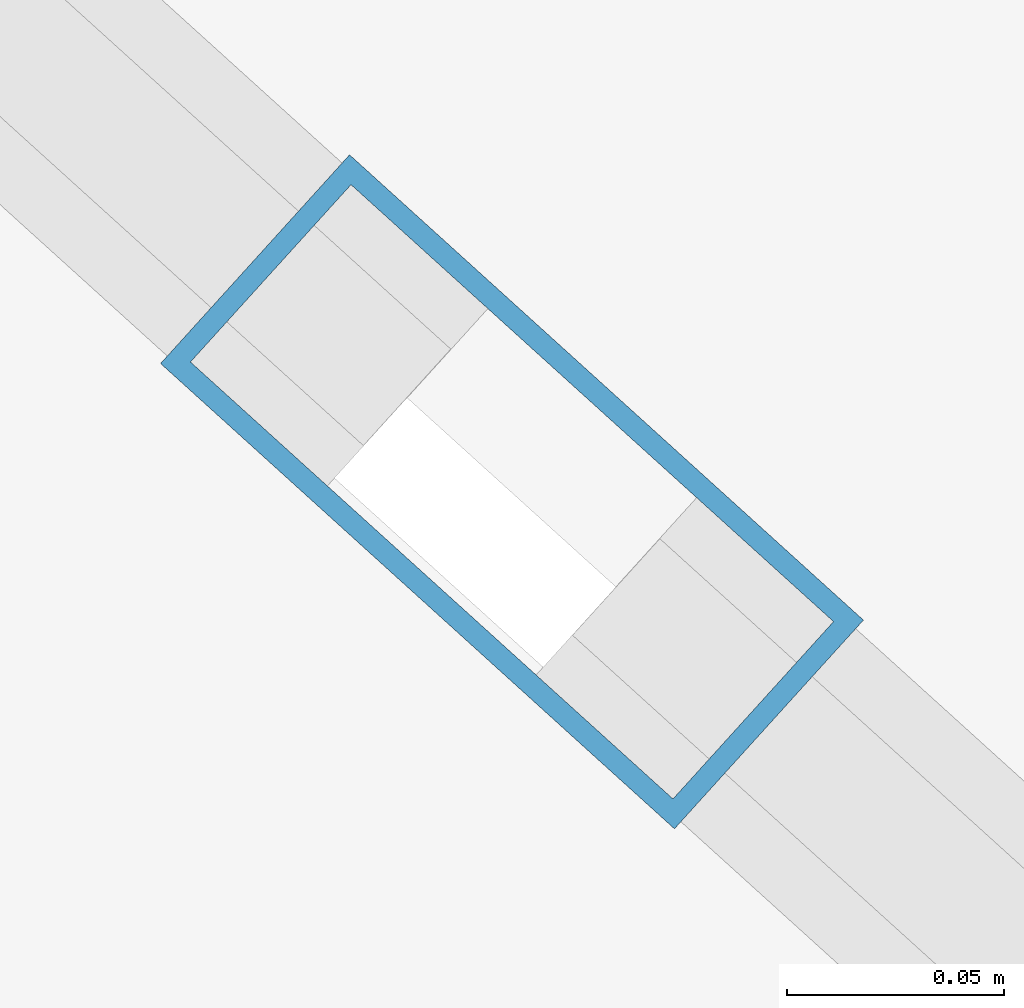
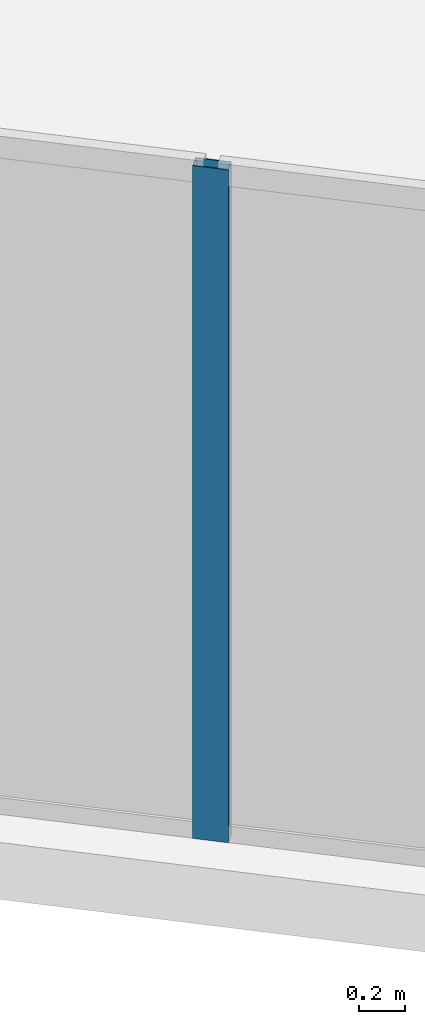
# One storey, part 2 of 14: 1 member, 1 element without a shape of its own.
"""IFC4 building model written with IfcOpenShell, lengths in metres."""

import ifcopenshell
import ifcopenshell.guid

model = None  # the IFC model being written
_history = None  # IfcOwnerHistory: only IFC2X3 demands one
_inside = {}  # id of a spatial element -> (the spatial element, [elements in it])
_under = {}  # id of a project, library or spatial element -> (it, [spatial elements below it])
_declared = {}  # id of a project -> (the project, [libraries it declares])
_typed = {}  # id of a type object -> (the type object, [elements of that type])
_made_of = {}  # id of a material, layer set ... -> (it, [elements and type objects made of it])


def new_model(schema):
    """Start an empty IFC model of exactly this schema.

    Asked for "IFC4X3", IfcOpenShell would pick the latest addendum, in which some entities
    have other attributes; the version numbers below select the first issue.
    IFC2X3 requires an IfcOwnerHistory on every rooted entity: one is made here for all.
    """
    global model, _history
    if schema == "IFC4X3":
        model = ifcopenshell.file(schema_version=(4, 3, 0, 0))
    else:
        model = ifcopenshell.file(schema=schema)
    _inside.clear()
    _under.clear()
    _declared.clear()
    _typed.clear()
    _made_of.clear()
    _history = None
    if model.schema == "IFC2X3":
        org = make("IfcOrganization", Name="unknown")
        user = make(
            "IfcPersonAndOrganization",
            ThePerson=make("IfcPerson", FamilyName="unknown"),
            TheOrganization=org,
        )
        app = make(
            "IfcApplication",
            ApplicationDeveloper=org,
            Version="unknown",
            ApplicationFullName="unknown",
            ApplicationIdentifier="unknown",
        )
        _history = make(
            "IfcOwnerHistory",
            OwningUser=user,
            OwningApplication=app,
            ChangeAction="ADDED",
            CreationDate=0,
        )
    return model


def make(cls, **values):
    """One entity of the class cls with the attributes given. An attribute that is None is left unset."""
    return model.create_entity(
        cls, **{name: value for name, value in values.items() if value is not None}
    )


def rooted(cls, **values):
    """An entity with a GlobalId (a new one), such as an element, a storey or a relation."""
    return make(cls, GlobalId=ifcopenshell.guid.new(), OwnerHistory=_history, **values)


def si_unit(unit_type, name, prefix=None):
    """IfcSIUnit, for example si_unit("LENGTHUNIT", "METRE", prefix="MILLI")."""
    return make("IfcSIUnit", UnitType=unit_type, Prefix=prefix, Name=name)


def assignment(units):
    """IfcUnitAssignment: the units of a project."""
    return None if units is None else make("IfcUnitAssignment", Units=units)


def point(xyz):
    """IfcCartesianPoint."""
    return None if xyz is None else make("IfcCartesianPoint", Coordinates=xyz)


def direction(xyz):
    """IfcDirection."""
    return None if xyz is None else make("IfcDirection", DirectionRatios=xyz)


def frame(location, z_axis=None, x_axis=None):
    """IfcAxis2Placement3D, a coordinate frame: its origin and axes. An axis left out is left unset."""
    return make(
        "IfcAxis2Placement3D",
        Location=point(location),
        Axis=direction(z_axis),
        RefDirection=direction(x_axis),
    )


def frame_2d(location, x_axis=None):
    """IfcAxis2Placement2D, a coordinate frame in the plane: its origin and x axis."""
    return make(
        "IfcAxis2Placement2D", Location=point(location), RefDirection=direction(x_axis)
    )


def origin():
    """The frame at (0, 0, 0) with its axes left unset."""
    return frame((0.0, 0.0, 0.0))


def origin_2d():
    """The frame at (0, 0) in the plane with its x axis left unset."""
    return frame_2d((0.0, 0.0))


def place(relative_to, where):
    """IfcLocalPlacement: puts the frame where relative to a parent placement (None: the world)."""
    return make(
        "IfcLocalPlacement", PlacementRelTo=relative_to, RelativePlacement=where
    )


def context(
    kind, dimensions, precision=None, world=None, true_north=None, identifier=None
):
    """IfcGeometricRepresentationContext, for example the 3D "Model" context."""
    return make(
        "IfcGeometricRepresentationContext",
        ContextIdentifier=identifier,
        ContextType=kind,
        CoordinateSpaceDimension=dimensions,
        Precision=precision,
        WorldCoordinateSystem=world,
        TrueNorth=true_north,
    )


def subcontext(parent, identifier, kind, view, scale=None):
    """IfcGeometricRepresentationSubContext, for example "Body" below "Model"."""
    return make(
        "IfcGeometricRepresentationSubContext",
        ContextIdentifier=identifier,
        ContextType=kind,
        ParentContext=parent,
        TargetScale=scale,
        TargetView=view,
    )


def project(units=None, contexts=None):
    """IfcProject with its units and contexts."""
    return rooted(
        "IfcProject",
        Name="project",
        RepresentationContexts=contexts,
        UnitsInContext=assignment(units),
    )


def spatial(cls, under=None, at=None, **own):
    """A site, building, storey or space (cls), placed at a placement, below another one or the project."""
    s = rooted(cls, ObjectPlacement=at, **own)
    if under is not None:
        _under.setdefault(under.id(), (under, []))[1].append(s)
    return s


def profile(cls, at=None, kind="AREA", **sizes):
    """A parametric profile (cls). Its sizes go by their IFC names, for example OverallWidth=200.0."""
    return make(cls, ProfileType=kind, Position=at, **sizes)


def hollow_rectangle(**sizes):
    """IfcRectangleHollowProfileDef."""
    return profile("IfcRectangleHollowProfileDef", **sizes)


def extrude(swept, where, along, depth):
    """IfcExtrudedAreaSolid: the profile swept, set in the frame where, extruded along a direction by depth."""
    return make(
        "IfcExtrudedAreaSolid",
        SweptArea=swept,
        Position=where,
        ExtrudedDirection=direction(along),
        Depth=depth,
    )


def shape(context_of_items, identifier, shape_type, items):
    """IfcShapeRepresentation: the items that make up one representation, for example the "Body"."""
    return make(
        "IfcShapeRepresentation",
        ContextOfItems=context_of_items,
        RepresentationIdentifier=identifier,
        RepresentationType=shape_type,
        Items=items,
    )


def material(Name=None, Category=None):
    """IfcMaterial."""
    return make("IfcMaterial", Name=Name, Category=Category)


def layer(
    of_material, thickness, ventilated=None, Name=None, Category=None, Priority=None
):
    """IfcMaterialLayer: one layer of a wall or slab, of a material (None: an air gap)."""
    return make(
        "IfcMaterialLayer",
        Material=of_material,
        LayerThickness=thickness,
        IsVentilated=ventilated,
        Name=Name,
        Category=Category,
        Priority=Priority,
    )


def layer_set(layers, Name=None):
    """IfcMaterialLayerSet."""
    return make("IfcMaterialLayerSet", MaterialLayers=layers, LayerSetName=Name)


def material_profile(
    of_material, cross_section, Name=None, Category=None, Priority=None
):
    """IfcMaterialProfile: a cross section and its material."""
    return make(
        "IfcMaterialProfile",
        Name=Name,
        Material=of_material,
        Profile=cross_section,
        Priority=Priority,
        Category=Category,
    )


def profile_set(profiles, Name=None, composite=None):
    """IfcMaterialProfileSet."""
    return make(
        "IfcMaterialProfileSet",
        Name=Name,
        MaterialProfiles=profiles,
        CompositeProfile=composite,
    )


def made_of(thing, what):
    """Note that an element or type object is made of a material, layer set ...; save() writes the relation."""
    if what is not None:
        _made_of.setdefault(what.id(), (what, []))[1].append(thing)
    return thing


def type_object(cls, material=None, **own):
    """A type object (cls), such as IfcWallType, which elements share."""
    return made_of(rooted(cls, **own), material)


def element(
    cls,
    number,
    at=None,
    inside=None,
    cuts=None,
    type_object=None,
    material=None,
    context=None,
    identifier="Body",
    shape_type=None,
    held_by="IfcProductDefinitionShape",
    body=None,
    shapes=None,
    **own,
):
    """One element of the class cls, such as IfcWall. Its Tag is "e" and its number.

    at: its placement. inside: the storey or other place that contains it. cuts: it is an
    opening in that element (IfcRelVoidsElement). A single representation is given by context,
    identifier, shape_type and body (its items); several are given by shapes. held_by: the class
    of the entity that holds the representations. save() writes the other relations.
    """
    e = rooted(cls, Tag="e%d" % number, ObjectPlacement=at, **own)
    if body is not None:
        shapes = [shape(context, identifier, shape_type, body)]
    if shapes is not None:
        e.Representation = make(held_by, Representations=shapes)
    if inside is not None:
        _inside.setdefault(inside.id(), (inside, []))[1].append(e)
    if cuts is not None:
        rooted(
            "IfcRelVoidsElement", RelatingBuildingElement=cuts, RelatedOpeningElement=e
        )
    if type_object is not None:
        _typed.setdefault(type_object.id(), (type_object, []))[1].append(e)
    return made_of(e, material)


def aggregate(whole, parts):
    """IfcRelAggregates: a whole, such as a stair, and the parts it consists of."""
    return rooted("IfcRelAggregates", RelatingObject=whole, RelatedObjects=parts)


def save(model, path):
    """Write the relations noted so far, then the file.

    IfcRelAggregates (storeys below a building ...), IfcRelContainedInSpatialStructure (elements
    in a storey), IfcRelDefinesByType, IfcRelAssociatesMaterial and IfcRelDeclares: one each for
    every whole, place, type object, material and project.
    """
    for whole, parts in _under.values():
        aggregate(whole, parts)
    for where, things in _inside.values():
        rooted(
            "IfcRelContainedInSpatialStructure",
            RelatedElements=things,
            RelatingStructure=where,
        )
    for kind, things in _typed.values():
        rooted("IfcRelDefinesByType", RelatedObjects=things, RelatingType=kind)
    for what, things in _made_of.values():
        rooted("IfcRelAssociatesMaterial", RelatedObjects=things, RelatingMaterial=what)
    for by, libraries in _declared.values():
        rooted("IfcRelDeclares", RelatingContext=by, RelatedDefinitions=libraries)
    model.write(path)


model = new_model("IFC4")

# Units and contexts
model_context = context("Model", 3, precision=1e-05, world=origin(), true_north=direction((0.0, 1.0)))
body_context = subcontext(model_context, "Body", "Model", "MODEL_VIEW")
ifc_project = project(units=[si_unit("LENGTHUNIT", "METRE"), si_unit("AREAUNIT", "SQUARE_METRE"), si_unit("VOLUMEUNIT", "CUBIC_METRE"), si_unit("PLANEANGLEUNIT", "RADIAN"), si_unit("MASSUNIT", "GRAM", prefix="KILO")], contexts=[model_context])

# Site, building, storey
site_placement = place(None, origin())
site = spatial("IfcSite", under=ifc_project, at=site_placement, CompositionType="ELEMENT")
building_placement = place(site_placement, origin())
building = spatial("IfcBuilding", under=site, at=building_placement, Name="Qianvela Tower", CompositionType="ELEMENT")
storey_placement = place(building_placement, frame((0.0, 0.0, 356.300048828125)))
storey = spatial("IfcBuildingStorey", under=building, at=storey_placement, Name="L92", CompositionType="ELEMENT", Elevation=356.300048828125)

# Curtain wall, member
ifc_material_1 = material(Name="Anodised Architectural Aluminium and Low-E Glass", Category="aluminium")
ifc_layer = layer(ifc_material_1, 0.159912109375)
ifc_layer_set = layer_set([ifc_layer], Name="Anodised Architectural Aluminium and Low-E Glass")
curtain_wall_type = type_object("IfcCurtainWallType", Name="CW-CROWN", PredefinedType="USERDEFINED", material=ifc_layer_set)
curtain_wall_placement = place(storey_placement, origin())
curtain_wall = element("IfcCurtainWall", 1, at=curtain_wall_placement, inside=storey, type_object=curtain_wall_type, Name="L92 CW-CROWN Curtain Wall 04", ObjectType="CURTAIN_WALL_SYSTEM", PredefinedType="USERDEFINED")
ifc_material_2 = material(Name="Anodised Architectural Aluminium 6063-T6", Category="aluminium")
ifc_material_profile = material_profile(ifc_material_2, hollow_rectangle(XDim=0.06494140625, YDim=0.159912109375, WallThickness=0.0048828125, at=origin_2d()), Name="ALU-MULL-65x160")
ifc_profile_set = profile_set([ifc_material_profile], Name="Anodised Architectural Aluminium 6063-T6")
member_type = type_object("IfcMemberType", Name="CW-CROWN-MULL", PredefinedType="MULLION", material=ifc_profile_set)
member_placement = place(storey_placement, frame((32.253173828125, 13.3095703125, 0.0), z_axis=(0.0, 0.0, 1.0), x_axis=(0.671201978645, 0.741274513162, 0.0)))
member = element("IfcMember", 2, at=member_placement, type_object=member_type, Name="CW-8 mullion 3", PredefinedType="MULLION", context=body_context, shape_type="SweptSolid", body=[
    extrude(hollow_rectangle(XDim=0.06494140625, YDim=0.159912109375, WallThickness=0.0048828125, at=origin_2d()), origin(), (0.0, 0.0, 1.0), 3.550048828125),
])
aggregate(curtain_wall, [member])

save(model, "model.ifc")
